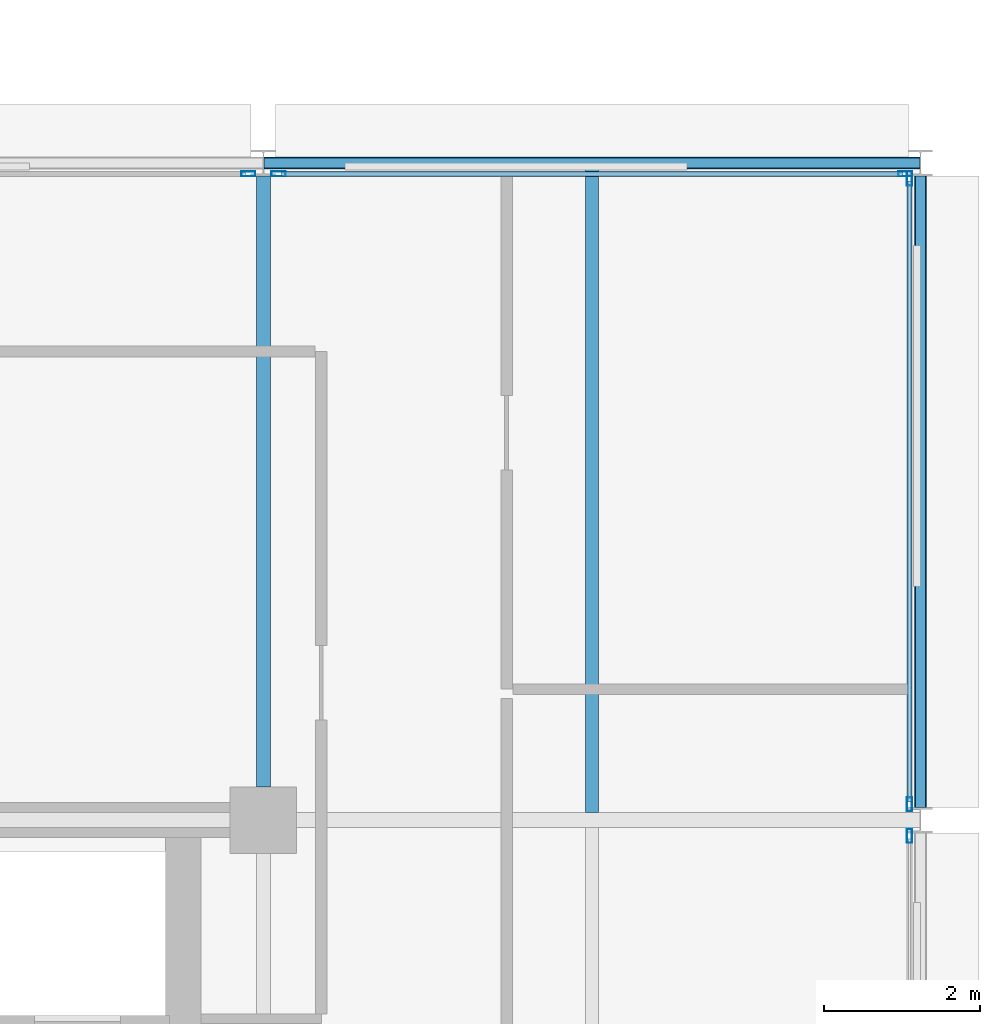
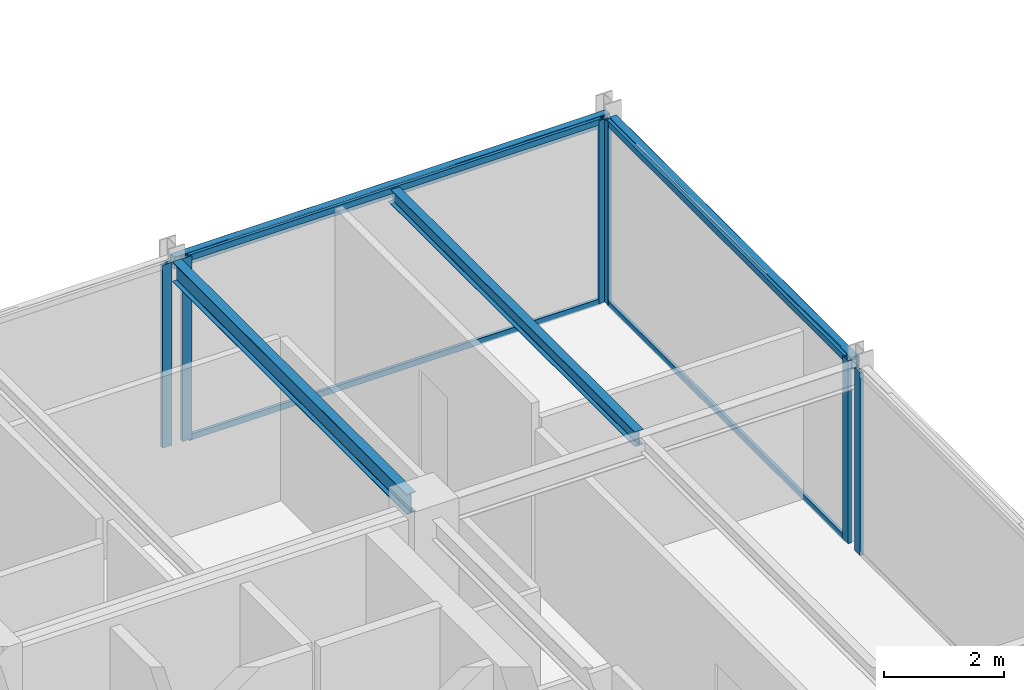
# One storey, part 16 of 27: 10 members, 4 beams, 4 elements without a shape of their own.
"""IFC4 building model written with IfcOpenShell, lengths in metres."""

from ifc_helpers import new_model, si_unit, direction, frame, origin, origin_2d, place, context, subcontext, project, spatial, hollow_rectangle, i_section, extrude, material, layer, layer_set, material_profile, profile_set, type_object, element, aggregate, save


model = new_model("IFC4")

# Units and contexts
model_context = context("Model", 3, precision=1e-05, world=origin(), true_north=direction((0.0, 1.0)))
body_context = subcontext(model_context, "Body", "Model", "MODEL_VIEW")
ifc_project = project(units=[si_unit("LENGTHUNIT", "METRE"), si_unit("AREAUNIT", "SQUARE_METRE"), si_unit("VOLUMEUNIT", "CUBIC_METRE"), si_unit("PLANEANGLEUNIT", "RADIAN"), si_unit("MASSUNIT", "GRAM", prefix="KILO")], contexts=[model_context])

# Site, building, storey
site_placement = place(None, origin())
site = spatial("IfcSite", under=ifc_project, at=site_placement, CompositionType="ELEMENT")
building_placement = place(site_placement, origin())
building = spatial("IfcBuilding", under=site, at=building_placement, Name="Nerrivon Quay Data Exchange", CompositionType="ELEMENT")
storey_placement = place(building_placement, frame((0.0, 0.0, 254.199951171875)))
storey = spatial("IfcBuildingStorey", under=building, at=storey_placement, Name="L60", CompositionType="ELEMENT", Elevation=254.199951171875)

# Beams
ifc_material_1 = material(Name="Steel Grade 350", Category="steel")
ifc_material_profile_1 = material_profile(ifc_material_1, i_section(OverallWidth=0.177978515625, OverallDepth=0.406005859375, WebThickness=0.0078125, FlangeThickness=0.0126953125, FilletRadius=0.011474609375, at=origin_2d()), Name="410UB59.7")
ifc_profile_set_1 = profile_set([ifc_material_profile_1], Name="Steel Grade 350")
beam_type_1 = type_object("IfcBeamType", Name="BM-J1-410UB60", PredefinedType="JOIST", material=ifc_profile_set_1)
beam_1_placement = place(storey_placement, frame((33.60009765625, 17.22509765625, 3.52197265625), z_axis=(0.0, 1.0, 0.0), x_axis=(-1.0, 0.0, 0.0)))
element("IfcBeam", 1, at=beam_1_placement, inside=storey, type_object=beam_type_1, Name="L60 NS Girder X=33.6 (16.8..25.2)", PredefinedType="JOIST", context=body_context, shape_type="SweptSolid", body=[
    extrude(i_section(OverallWidth=0.177978515625, OverallDepth=0.406005859375, WebThickness=0.0078125, FlangeThickness=0.0126953125, FilletRadius=0.011474609375, at=origin_2d()), origin(), (0.0, 0.0, 1.0), 7.8115234375),
])
ifc_material_profile_2 = material_profile(ifc_material_1, i_section(OverallWidth=0.1650390625, OverallDepth=0.303955078125, WebThickness=0.006103515625, FlangeThickness=0.01025390625, FilletRadius=0.011474609375, at=origin_2d()), Name="310UB40.4")
ifc_profile_set_2 = profile_set([ifc_material_profile_2], Name="Steel Grade 350")
beam_type_2 = type_object("IfcBeamType", Name="BM-J6-310UB40", PredefinedType="JOIST", material=ifc_profile_set_2)
beam_2_placement = place(storey_placement, frame((37.800048828125, 16.89501953125, 3.572998046875), z_axis=(0.0, 1.0, 0.0), x_axis=(-1.0, 0.0, 0.0)))
element("IfcBeam", 2, at=beam_2_placement, inside=storey, type_object=beam_type_2, Name="L60 Secondary Joist X=37.8 (16.8..25.2)", PredefinedType="JOIST", context=body_context, shape_type="SweptSolid", body=[
    extrude(i_section(OverallWidth=0.1650390625, OverallDepth=0.303955078125, WebThickness=0.006103515625, FlangeThickness=0.01025390625, FilletRadius=0.011474609375, at=origin_2d()), origin(), (0.0, 0.0, 1.0), 8.22998046875),
])
ifc_material_2 = material(Name="Steel Grade C350L0 (350 MPa)", Category="steel")
ifc_material_profile_3 = material_profile(ifc_material_2, hollow_rectangle(XDim=0.14990234375, YDim=0.25, WallThickness=0.009033203125, InnerFilletRadius=0.013427734375, OuterFilletRadius=0.0224609375, at=origin_2d()), Name="250x150x9.0RHS")
ifc_profile_set_3 = profile_set([ifc_material_profile_3], Name="Steel Grade C350L0 (350 MPa)")
beam_type_3 = type_object("IfcBeamType", Name="BM-SP4-250x150RHS", PredefinedType="SPANDREL", material=ifc_profile_set_3)
beam_3_placement = place(storey_placement, frame((33.60791015625, 25.199951171875, 3.60009765625), z_axis=(1.0, 0.0, 0.0), x_axis=(0.0, 1.0, 0.0)))
element("IfcBeam", 3, at=beam_3_placement, inside=storey, type_object=beam_type_3, Name="L60 EW Girder Y=25.2 (33.6..42.0)", PredefinedType="SPANDREL", context=body_context, shape_type="SweptSolid", body=[
    extrude(hollow_rectangle(XDim=0.14990234375, YDim=0.25, WallThickness=0.009033203125, InnerFilletRadius=0.013427734375, OuterFilletRadius=0.0224609375, at=origin_2d()), origin(), (0.0, 0.0, 1.0), 8.38427734375),
])
beam_4_placement = place(storey_placement, frame((42.0, 16.96337890625, 3.60009765625), z_axis=(0.0, 1.0, 0.0), x_axis=(-1.0, 0.0, 0.0)))
element("IfcBeam", 4, at=beam_4_placement, inside=storey, type_object=beam_type_3, Name="L60 NS Girder X=42.0 (16.8..25.2)", PredefinedType="SPANDREL", context=body_context, shape_type="SweptSolid", body=[
    extrude(hollow_rectangle(XDim=0.14990234375, YDim=0.25, WallThickness=0.009033203125, InnerFilletRadius=0.013427734375, OuterFilletRadius=0.0224609375, at=origin_2d()), origin(), (0.0, 0.0, 1.0), 8.0732421875),
])

# Curtain wall, member
ifc_material_3 = material(Name="Anodised aluminium 6063-T6", Category="aluminium")
ifc_layer = layer(ifc_material_3, 0.195068359375)
ifc_layer_set = layer_set([ifc_layer], Name="Anodised aluminium 6063-T6")
curtain_wall_type = type_object("IfcCurtainWallType", Name="CW-SYS-06", PredefinedType="NOTDEFINED", material=ifc_layer_set)
curtain_wall_1_placement = place(storey_placement, origin())
curtain_wall_1 = element("IfcCurtainWall", 5, at=curtain_wall_1_placement, inside=storey, type_object=curtain_wall_type, Name="L60 Unitised Curtain Wall 24", PredefinedType="NOTDEFINED")
ifc_material_profile_4 = material_profile(ifc_material_3, hollow_rectangle(XDim=0.06494140625, YDim=0.179931640625, WallThickness=0.00341796875, at=origin_2d()), Name="ALU-MULL-180x65")
ifc_profile_set_4 = profile_set([ifc_material_profile_4], Name="Anodised aluminium 6063-T6")
member_type_1 = type_object("IfcMemberType", Name="CWM-180x65", PredefinedType="MULLION", material=ifc_profile_set_4)
member_1_placement = place(storey_placement, frame((33.406982421875, 25.06005859375, 0.0), z_axis=(0.0, 0.0, 1.0), x_axis=(0.0, 1.0, 0.0)))
member_1 = element("IfcMember", 6, at=member_1_placement, type_object=member_type_1, Name="CW06 mullion 2", PredefinedType="MULLION", context=body_context, shape_type="SweptSolid", body=[
    extrude(hollow_rectangle(XDim=0.06494140625, YDim=0.179931640625, WallThickness=0.00341796875, at=origin_2d()), origin(), (0.0, 0.0, 1.0), 3.72509765625),
])
aggregate(curtain_wall_1, [member_1])

# Curtain wall, members
curtain_wall_2_placement = place(storey_placement, origin())
curtain_wall_2 = element("IfcCurtainWall", 7, at=curtain_wall_2_placement, inside=storey, type_object=curtain_wall_type, Name="L60 Unitised Curtain Wall 25", PredefinedType="NOTDEFINED")
member_2_placement = place(storey_placement, frame((33.79296875, 25.06005859375, 0.0), z_axis=(0.0, 0.0, 1.0), x_axis=(0.0, 1.0, 0.0)))
member_2 = element("IfcMember", 8, at=member_2_placement, type_object=member_type_1, Name="CW06 mullion 1", PredefinedType="MULLION", context=body_context, shape_type="SweptSolid", body=[
    extrude(hollow_rectangle(XDim=0.06494140625, YDim=0.179931640625, WallThickness=0.00341796875, at=origin_2d()), origin(), (0.0, 0.0, 1.0), 3.72509765625),
])
member_3_placement = place(storey_placement, frame((41.806884765625, 25.06005859375, 0.0), z_axis=(0.0, 0.0, 1.0), x_axis=(0.0, 1.0, 0.0)))
member_3 = element("IfcMember", 9, at=member_3_placement, type_object=member_type_1, Name="CW06 mullion 2", PredefinedType="MULLION", context=body_context, shape_type="SweptSolid", body=[
    extrude(hollow_rectangle(XDim=0.06494140625, YDim=0.179931640625, WallThickness=0.00341796875, at=origin_2d()), origin(), (0.0, 0.0, 1.0), 3.72509765625),
])

curtain_wall_3_placement = place(storey_placement, origin())
curtain_wall_3 = element("IfcCurtainWall", 10, at=curtain_wall_3_placement, inside=storey, type_object=curtain_wall_type, Name="L60 Unitised Curtain Wall 26", PredefinedType="NOTDEFINED")
member_4_placement = place(storey_placement, frame((41.860107421875, 24.9990234375, 0.0), z_axis=(0.0, 0.0, 1.0), x_axis=(1.0, 0.0, 0.0)))
member_4 = element("IfcMember", 11, at=member_4_placement, type_object=member_type_1, Name="CW06 mullion 1", PredefinedType="MULLION", context=body_context, shape_type="SweptSolid", body=[
    extrude(hollow_rectangle(XDim=0.06494140625, YDim=0.179931640625, WallThickness=0.00341796875, at=origin_2d()), origin(), (0.0, 0.0, 1.0), 3.72509765625),
])
member_5_placement = place(storey_placement, frame((41.860107421875, 17.0009765625, 0.0), z_axis=(0.0, 0.0, 1.0), x_axis=(1.0, 0.0, 0.0)))
member_5 = element("IfcMember", 12, at=member_5_placement, type_object=member_type_1, Name="CW06 mullion 2", PredefinedType="MULLION", context=body_context, shape_type="SweptSolid", body=[
    extrude(hollow_rectangle(XDim=0.06494140625, YDim=0.179931640625, WallThickness=0.00341796875, at=origin_2d()), origin(), (0.0, 0.0, 1.0), 3.72509765625),
])

# Curtain wall, member
curtain_wall_4_placement = place(storey_placement, origin())
curtain_wall_4 = element("IfcCurtainWall", 13, at=curtain_wall_4_placement, inside=storey, type_object=curtain_wall_type, Name="L60 Unitised Curtain Wall 27", PredefinedType="NOTDEFINED")
member_6_placement = place(storey_placement, frame((41.860107421875, 16.59912109375, 0.0), z_axis=(0.0, 0.0, 1.0), x_axis=(1.0, 0.0, 0.0)))
member_6 = element("IfcMember", 14, at=member_6_placement, type_object=member_type_1, Name="CW06 mullion 1", PredefinedType="MULLION", context=body_context, shape_type="SweptSolid", body=[
    extrude(hollow_rectangle(XDim=0.06494140625, YDim=0.179931640625, WallThickness=0.00341796875, at=origin_2d()), origin(), (0.0, 0.0, 1.0), 3.72509765625),
])
aggregate(curtain_wall_4, [member_6])

# Member
ifc_material_profile_5 = material_profile(ifc_material_3, hollow_rectangle(XDim=0.06005859375, YDim=0.1201171875, WallThickness=0.003173828125, at=origin_2d()), Name="ALU-TRAN-120x60")
ifc_profile_set_5 = profile_set([ifc_material_profile_5], Name="Anodised aluminium 6063-T6")
member_type_2 = type_object("IfcMemberType", Name="CWT-120x60", PredefinedType="USERDEFINED", material=ifc_profile_set_5)
member_7_placement = place(storey_placement, frame((33.83056640625, 25.06005859375, 0.032470703125), z_axis=(1.0, 0.0, 0.0), x_axis=(0.0, 1.0, 0.0)))
member_7 = element("IfcMember", 15, at=member_7_placement, type_object=member_type_2, Name="CW06 transom 1.1", ObjectType="TRANSOM", PredefinedType="USERDEFINED", context=body_context, shape_type="SweptSolid", body=[
    extrude(hollow_rectangle(XDim=0.06005859375, YDim=0.1201171875, WallThickness=0.003173828125, at=origin_2d()), origin(), (0.0, 0.0, 1.0), 7.93896484375),
])

member_8_placement = place(storey_placement, frame((33.83056640625, 25.06005859375, 3.692626953125), z_axis=(1.0, 0.0, 0.0), x_axis=(0.0, 1.0, 0.0)))
member_8 = element("IfcMember", 16, at=member_8_placement, type_object=member_type_2, Name="CW06 transom 1.2", ObjectType="TRANSOM", PredefinedType="USERDEFINED", context=body_context, shape_type="SweptSolid", body=[
    extrude(hollow_rectangle(XDim=0.06005859375, YDim=0.1201171875, WallThickness=0.003173828125, at=origin_2d()), origin(), (0.0, 0.0, 1.0), 7.93896484375),
])

aggregate(curtain_wall_2, [member_2, member_3, member_7, member_8])

member_9_placement = place(storey_placement, frame((41.860107421875, 24.96142578125, 0.032470703125), z_axis=(0.0, -1.0, 0.0), x_axis=(1.0, 0.0, 0.0)))
member_9 = element("IfcMember", 17, at=member_9_placement, type_object=member_type_2, Name="CW06 transom 1.1", ObjectType="TRANSOM", PredefinedType="USERDEFINED", context=body_context, shape_type="SweptSolid", body=[
    extrude(hollow_rectangle(XDim=0.06005859375, YDim=0.1201171875, WallThickness=0.003173828125, at=origin_2d()), origin(), (0.0, 0.0, 1.0), 7.9228515625),
])

member_10_placement = place(storey_placement, frame((41.860107421875, 24.96142578125, 3.692626953125), z_axis=(0.0, -1.0, 0.0), x_axis=(1.0, 0.0, 0.0)))
member_10 = element("IfcMember", 18, at=member_10_placement, type_object=member_type_2, Name="CW06 transom 1.2", ObjectType="TRANSOM", PredefinedType="USERDEFINED", context=body_context, shape_type="SweptSolid", body=[
    extrude(hollow_rectangle(XDim=0.06005859375, YDim=0.1201171875, WallThickness=0.003173828125, at=origin_2d()), origin(), (0.0, 0.0, 1.0), 7.9228515625),
])

aggregate(curtain_wall_3, [member_4, member_5, member_9, member_10])

save(model, "model.ifc")
